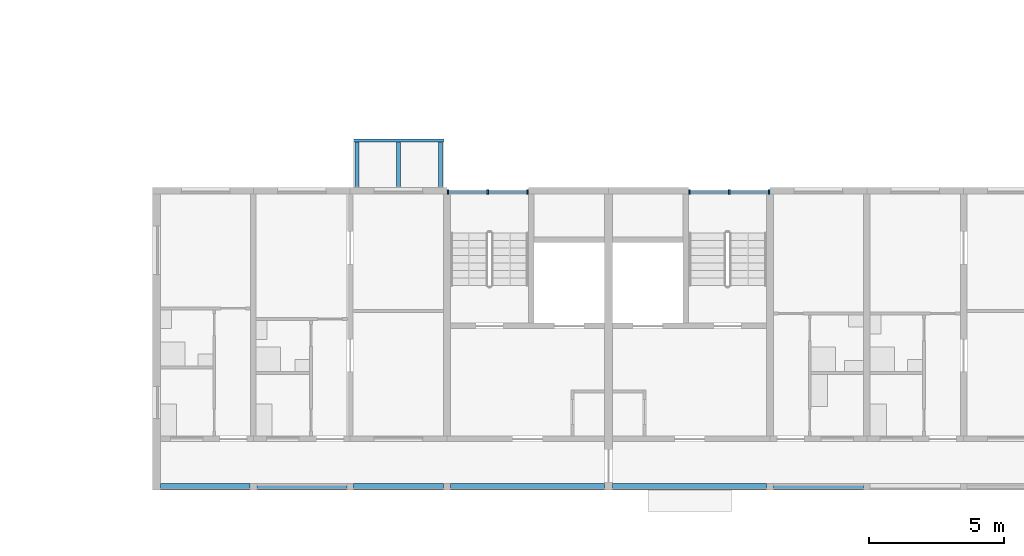
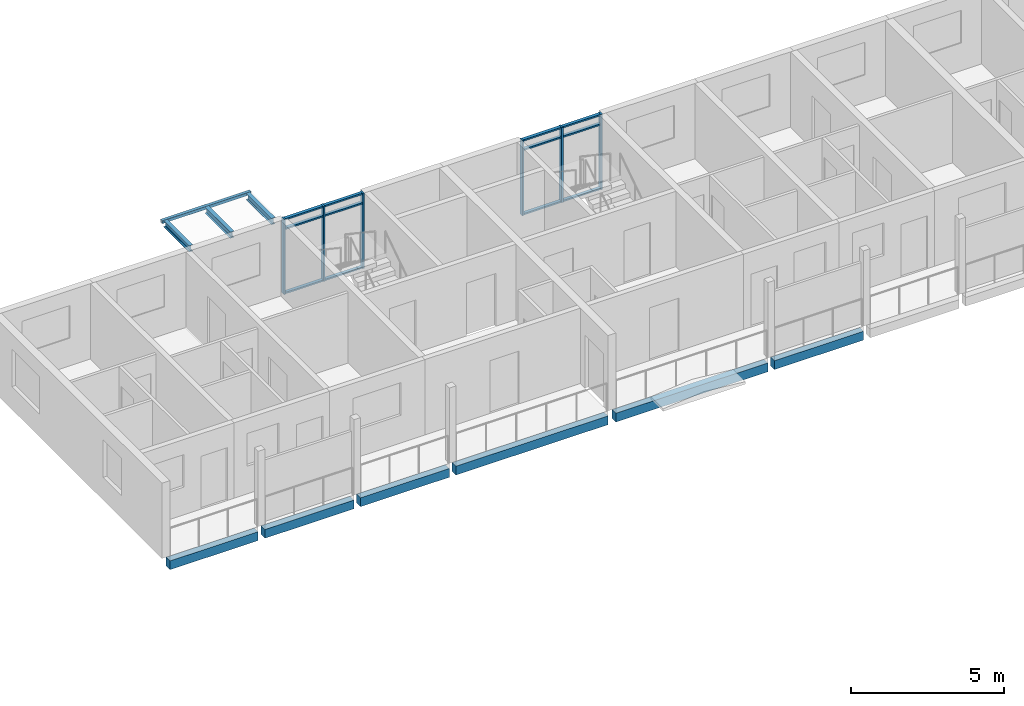
# One storey, part 14 of 100: 18 members, 10 beams, 2 elements without a shape of their own.
"""IFC4 building model written with IfcOpenShell, lengths in metres."""

from ifc_helpers import new_model, si_unit, direction, frame, origin, origin_2d, place, context, subcontext, project, spatial, rectangle, hollow_rectangle, i_section, extrude, material, material_profile, profile_set, type_object, element, aggregate, save


model = new_model("IFC4")

# Units and contexts
model_context = context("Model", 3, precision=1e-05, world=origin(), true_north=direction((0.0, 1.0)))
body_context = subcontext(model_context, "Body", "Model", "MODEL_VIEW")
ifc_project = project(units=[si_unit("LENGTHUNIT", "METRE"), si_unit("AREAUNIT", "SQUARE_METRE"), si_unit("VOLUMEUNIT", "CUBIC_METRE"), si_unit("PLANEANGLEUNIT", "RADIAN"), si_unit("MASSUNIT", "GRAM", prefix="KILO")], contexts=[model_context])

# Site, building, storey
site_placement = place(None, origin())
site = spatial("IfcSite", under=ifc_project, at=site_placement, CompositionType="ELEMENT")
building_placement = place(site_placement, origin())
building = spatial("IfcBuilding", under=site, at=building_placement, Name="Ridgestep Commons", CompositionType="ELEMENT")
storey_placement = place(building_placement, frame((0.0, 0.0, 9.0)))
storey = spatial("IfcBuildingStorey", under=building, at=storey_placement, Name="L03", CompositionType="ELEMENT", Elevation=9.0)

# Beams
ifc_material_1 = material(Name="Precast concrete C40/50", Category="concrete")
ifc_material_profile_1 = material_profile(ifc_material_1, rectangle(XDim=0.25, YDim=0.35009765625, at=origin_2d()), Name="PC 250x350")
ifc_profile_set_1 = profile_set([ifc_material_profile_1], Name="Precast concrete C40/50")
beam_type_1 = type_object("IfcBeamType", Name="Loggia edge beam 250 x 350", PredefinedType="SPANDREL", material=ifc_profile_set_1)
beam_1_placement = place(storey_placement, frame((146.949951171875, 11.875, -0.375), z_axis=(1.0, 0.0, 0.0), x_axis=(0.0, 1.0, 0.0)))
element("IfcBeam", 1, at=beam_1_placement, inside=storey, type_object=beam_type_1, Name="Loggia edge beam D1T1 L03", PredefinedType="SPANDREL", context=body_context, shape_type="SweptSolid", body=[
    extrude(rectangle(XDim=0.25, YDim=0.35009765625, at=origin_2d()), origin(), (0.0, 0.0, 1.0), 3.324951171875),
])
for number, where, z_axis, x_axis, name in (
    (2, (150.52490234375, 11.875, -0.375), (1.0, 0.0, 0.0), (0.0, 1.0, 0.0), "Loggia edge beam D1T2 L03"),
    (3, (154.125, 11.875, -0.375), (1.0, 0.0, 0.0), (0.0, 1.0, 0.0), "Loggia edge beam D1T3 L03"),
):
    element("IfcBeam", number, at=place(storey_placement, frame(where, z_axis=z_axis, x_axis=x_axis)), inside=storey, type_object=beam_type_1, Name=name, PredefinedType="SPANDREL", context=body_context, shape_type="SweptSolid", body=[
        extrude(rectangle(XDim=0.25, YDim=0.35009765625, at=origin_2d()), origin(), (0.0, 0.0, 1.0), 3.35009765625),
    ])
beam_2_placement = place(storey_placement, frame((157.72509765625, 11.875, -0.375), z_axis=(1.0, 0.0, 0.0), x_axis=(0.0, 1.0, 0.0)))
element("IfcBeam", 4, at=beam_2_placement, inside=storey, type_object=beam_type_1, Name="Loggia edge beam D1C L03", PredefinedType="SPANDREL", context=body_context, shape_type="SweptSolid", body=[
    extrude(rectangle(XDim=0.25, YDim=0.35009765625, at=origin_2d()), origin(), (0.0, 0.0, 1.0), 5.724853515625),
])
beam_3_placement = place(storey_placement, frame((163.75, 11.875, -0.375), z_axis=(1.0, 0.0, 0.0), x_axis=(0.0, 1.0, 0.0)))
element("IfcBeam", 5, at=beam_3_placement, inside=storey, type_object=beam_type_1, Name="Loggia edge beam D2C L03", PredefinedType="SPANDREL", context=body_context, shape_type="SweptSolid", body=[
    extrude(rectangle(XDim=0.25, YDim=0.35009765625, at=origin_2d()), origin(), (0.0, 0.0, 1.0), 5.72509765625),
])
beam_4_placement = place(storey_placement, frame((169.72509765625, 11.875, -0.375), z_axis=(1.0, 0.0, 0.0), x_axis=(0.0, 1.0, 0.0)))
element("IfcBeam", 6, at=beam_4_placement, inside=storey, type_object=beam_type_1, Name="Loggia edge beam D2T3 L03", PredefinedType="SPANDREL", context=body_context, shape_type="SweptSolid", body=[
    extrude(rectangle(XDim=0.25, YDim=0.35009765625, at=origin_2d()), origin(), (0.0, 0.0, 1.0), 3.349853515625),
])

# Curtain wall, members
ifc_material_2 = material(Name="Aluminium 6063-T6 and glass", Category="aluminium")
curtain_wall_type = type_object("IfcCurtainWallType", Name="Curtain wall stair strip", PredefinedType="NOTDEFINED", material=ifc_material_2)
curtain_wall_1_placement = place(storey_placement, origin())
curtain_wall_1 = element("IfcCurtainWall", 7, at=curtain_wall_1_placement, inside=storey, type_object=curtain_wall_type, Name="Curtain wall D1C level 03", PredefinedType="NOTDEFINED")
ifc_material_3 = material(Name="Aluminium 6063-T6", Category="aluminium")
ifc_material_profile_2 = material_profile(ifc_material_3, rectangle(XDim=0.159912109375, YDim=0.06005859375, at=origin_2d()), Name="Mullion 60 x 160")
ifc_profile_set_2 = profile_set([ifc_material_profile_2], Name="Aluminium 6063-T6")
member_type_1 = type_object("IfcMemberType", Name="Mullion 60 x 160", PredefinedType="MULLION", material=ifc_profile_set_2)
member_1_placement = place(storey_placement, frame((157.6298828125, 22.830078125, 0.0), z_axis=(0.0, 0.0, 1.0), x_axis=(0.0, 1.0, 0.0)))
member_1 = element("IfcMember", 8, at=member_1_placement, type_object=member_type_1, Name="CW1 mullion 1", PredefinedType="MULLION", context=body_context, shape_type="SweptSolid", body=[
    extrude(rectangle(XDim=0.159912109375, YDim=0.06005859375, at=origin_2d()), origin(), (0.0, 0.0, 1.0), 3.0),
])
member_2_placement = place(storey_placement, frame((159.112548828125, 22.830078125, 0.0), z_axis=(0.0, 0.0, 1.0), x_axis=(0.0, 1.0, 0.0)))
member_2 = element("IfcMember", 9, at=member_2_placement, type_object=member_type_1, Name="CW1 mullion 2", PredefinedType="MULLION", context=body_context, shape_type="SweptSolid", body=[
    extrude(rectangle(XDim=0.159912109375, YDim=0.06005859375, at=origin_2d()), origin(), (0.0, 0.0, 1.0), 3.0),
])
member_3_placement = place(storey_placement, frame((160.594970703125, 22.830078125, 0.0), z_axis=(0.0, 0.0, 1.0), x_axis=(0.0, 1.0, 0.0)))
member_3 = element("IfcMember", 10, at=member_3_placement, type_object=member_type_1, Name="CW1 mullion 3", PredefinedType="MULLION", context=body_context, shape_type="SweptSolid", body=[
    extrude(rectangle(XDim=0.159912109375, YDim=0.06005859375, at=origin_2d()), origin(), (0.0, 0.0, 1.0), 3.0),
])

curtain_wall_2_placement = place(storey_placement, origin())
curtain_wall_2 = element("IfcCurtainWall", 11, at=curtain_wall_2_placement, inside=storey, type_object=curtain_wall_type, Name="Curtain wall D2C level 03", PredefinedType="NOTDEFINED")
member_4_placement = place(storey_placement, frame((166.60498046875, 22.830078125, 0.0), z_axis=(0.0, 0.0, 1.0), x_axis=(0.0, 1.0, 0.0)))
member_4 = element("IfcMember", 12, at=member_4_placement, type_object=member_type_1, Name="CW1 mullion 1", PredefinedType="MULLION", context=body_context, shape_type="SweptSolid", body=[
    extrude(rectangle(XDim=0.159912109375, YDim=0.06005859375, at=origin_2d()), origin(), (0.0, 0.0, 1.0), 3.0),
])
member_5_placement = place(storey_placement, frame((168.08740234375, 22.830078125, 0.0), z_axis=(0.0, 0.0, 1.0), x_axis=(0.0, 1.0, 0.0)))
member_5 = element("IfcMember", 13, at=member_5_placement, type_object=member_type_1, Name="CW1 mullion 2", PredefinedType="MULLION", context=body_context, shape_type="SweptSolid", body=[
    extrude(rectangle(XDim=0.159912109375, YDim=0.06005859375, at=origin_2d()), origin(), (0.0, 0.0, 1.0), 3.0),
])
member_6_placement = place(storey_placement, frame((169.570068359375, 22.830078125, 0.0), z_axis=(0.0, 0.0, 1.0), x_axis=(0.0, 1.0, 0.0)))
member_6 = element("IfcMember", 14, at=member_6_placement, type_object=member_type_1, Name="CW1 mullion 3", PredefinedType="MULLION", context=body_context, shape_type="SweptSolid", body=[
    extrude(rectangle(XDim=0.159912109375, YDim=0.06005859375, at=origin_2d()), origin(), (0.0, 0.0, 1.0), 3.0),
])

# Member
ifc_material_4 = material(Name="Aluminium 6063-T6", Category="aluminium")
ifc_material_profile_3 = material_profile(ifc_material_4, rectangle(XDim=0.1201171875, YDim=0.06005859375, at=origin_2d()), Name="Transom 60 x 120")
ifc_profile_set_3 = profile_set([ifc_material_profile_3], Name="Aluminium 6063-T6")
member_type_2 = type_object("IfcMemberType", Name="Transom 60 x 120", PredefinedType="USERDEFINED", material=ifc_profile_set_3)
member_7_placement = place(storey_placement, frame((157.659912109375, 22.830078125, 0.030029296875), z_axis=(1.0, 0.0, 0.0), x_axis=(0.0, 1.0, 0.0)))
member_7 = element("IfcMember", 15, at=member_7_placement, type_object=member_type_2, Name="CW1 transom 1.1", ObjectType="TRANSOM", PredefinedType="USERDEFINED", context=body_context, shape_type="SweptSolid", body=[
    extrude(rectangle(XDim=0.1201171875, YDim=0.06005859375, at=origin_2d()), origin(), (0.0, 0.0, 1.0), 1.422607421875),
])

member_8_placement = place(storey_placement, frame((157.659912109375, 22.830078125, 2.590087890625), z_axis=(1.0, 0.0, 0.0), x_axis=(0.0, 1.0, 0.0)))
member_8 = element("IfcMember", 16, at=member_8_placement, type_object=member_type_2, Name="CW1 transom 1.2", ObjectType="TRANSOM", PredefinedType="USERDEFINED", context=body_context, shape_type="SweptSolid", body=[
    extrude(rectangle(XDim=0.1201171875, YDim=0.06005859375, at=origin_2d()), origin(), (0.0, 0.0, 1.0), 1.422607421875),
])

member_9_placement = place(storey_placement, frame((157.659912109375, 22.830078125, 2.969970703125), z_axis=(1.0, 0.0, 0.0), x_axis=(0.0, 1.0, 0.0)))
member_9 = element("IfcMember", 17, at=member_9_placement, type_object=member_type_2, Name="CW1 transom 1.3", ObjectType="TRANSOM", PredefinedType="USERDEFINED", context=body_context, shape_type="SweptSolid", body=[
    extrude(rectangle(XDim=0.1201171875, YDim=0.06005859375, at=origin_2d()), origin(), (0.0, 0.0, 1.0), 1.422607421875),
])

member_10_placement = place(storey_placement, frame((159.142578125, 22.830078125, 0.030029296875), z_axis=(1.0, 0.0, 0.0), x_axis=(0.0, 1.0, 0.0)))
member_10 = element("IfcMember", 18, at=member_10_placement, type_object=member_type_2, Name="CW1 transom 2.1", ObjectType="TRANSOM", PredefinedType="USERDEFINED", context=body_context, shape_type="SweptSolid", body=[
    extrude(rectangle(XDim=0.1201171875, YDim=0.06005859375, at=origin_2d()), origin(), (0.0, 0.0, 1.0), 1.42236328125),
])

member_11_placement = place(storey_placement, frame((159.142578125, 22.830078125, 2.590087890625), z_axis=(1.0, 0.0, 0.0), x_axis=(0.0, 1.0, 0.0)))
member_11 = element("IfcMember", 19, at=member_11_placement, type_object=member_type_2, Name="CW1 transom 2.2", ObjectType="TRANSOM", PredefinedType="USERDEFINED", context=body_context, shape_type="SweptSolid", body=[
    extrude(rectangle(XDim=0.1201171875, YDim=0.06005859375, at=origin_2d()), origin(), (0.0, 0.0, 1.0), 1.42236328125),
])

member_12_placement = place(storey_placement, frame((159.142578125, 22.830078125, 2.969970703125), z_axis=(1.0, 0.0, 0.0), x_axis=(0.0, 1.0, 0.0)))
member_12 = element("IfcMember", 20, at=member_12_placement, type_object=member_type_2, Name="CW1 transom 2.3", ObjectType="TRANSOM", PredefinedType="USERDEFINED", context=body_context, shape_type="SweptSolid", body=[
    extrude(rectangle(XDim=0.1201171875, YDim=0.06005859375, at=origin_2d()), origin(), (0.0, 0.0, 1.0), 1.42236328125),
])

aggregate(curtain_wall_1, [member_1, member_2, member_3, member_7, member_8, member_9, member_10, member_11, member_12])

member_13_placement = place(storey_placement, frame((166.635009765625, 22.830078125, 0.030029296875), z_axis=(1.0, 0.0, 0.0), x_axis=(0.0, 1.0, 0.0)))
member_13 = element("IfcMember", 21, at=member_13_placement, type_object=member_type_2, Name="CW1 transom 1.1", ObjectType="TRANSOM", PredefinedType="USERDEFINED", context=body_context, shape_type="SweptSolid", body=[
    extrude(rectangle(XDim=0.1201171875, YDim=0.06005859375, at=origin_2d()), origin(), (0.0, 0.0, 1.0), 1.422607421875),
])

member_14_placement = place(storey_placement, frame((166.635009765625, 22.830078125, 2.590087890625), z_axis=(1.0, 0.0, 0.0), x_axis=(0.0, 1.0, 0.0)))
member_14 = element("IfcMember", 22, at=member_14_placement, type_object=member_type_2, Name="CW1 transom 1.2", ObjectType="TRANSOM", PredefinedType="USERDEFINED", context=body_context, shape_type="SweptSolid", body=[
    extrude(rectangle(XDim=0.1201171875, YDim=0.06005859375, at=origin_2d()), origin(), (0.0, 0.0, 1.0), 1.422607421875),
])

member_15_placement = place(storey_placement, frame((166.635009765625, 22.830078125, 2.969970703125), z_axis=(1.0, 0.0, 0.0), x_axis=(0.0, 1.0, 0.0)))
member_15 = element("IfcMember", 23, at=member_15_placement, type_object=member_type_2, Name="CW1 transom 1.3", ObjectType="TRANSOM", PredefinedType="USERDEFINED", context=body_context, shape_type="SweptSolid", body=[
    extrude(rectangle(XDim=0.1201171875, YDim=0.06005859375, at=origin_2d()), origin(), (0.0, 0.0, 1.0), 1.422607421875),
])

member_16_placement = place(storey_placement, frame((168.117431640625, 22.830078125, 0.030029296875), z_axis=(1.0, 0.0, 0.0), x_axis=(0.0, 1.0, 0.0)))
member_16 = element("IfcMember", 24, at=member_16_placement, type_object=member_type_2, Name="CW1 transom 2.1", ObjectType="TRANSOM", PredefinedType="USERDEFINED", context=body_context, shape_type="SweptSolid", body=[
    extrude(rectangle(XDim=0.1201171875, YDim=0.06005859375, at=origin_2d()), origin(), (0.0, 0.0, 1.0), 1.422607421875),
])

member_17_placement = place(storey_placement, frame((168.117431640625, 22.830078125, 2.590087890625), z_axis=(1.0, 0.0, 0.0), x_axis=(0.0, 1.0, 0.0)))
member_17 = element("IfcMember", 25, at=member_17_placement, type_object=member_type_2, Name="CW1 transom 2.2", ObjectType="TRANSOM", PredefinedType="USERDEFINED", context=body_context, shape_type="SweptSolid", body=[
    extrude(rectangle(XDim=0.1201171875, YDim=0.06005859375, at=origin_2d()), origin(), (0.0, 0.0, 1.0), 1.422607421875),
])

member_18_placement = place(storey_placement, frame((168.117431640625, 22.830078125, 2.969970703125), z_axis=(1.0, 0.0, 0.0), x_axis=(0.0, 1.0, 0.0)))
member_18 = element("IfcMember", 26, at=member_18_placement, type_object=member_type_2, Name="CW1 transom 2.3", ObjectType="TRANSOM", PredefinedType="USERDEFINED", context=body_context, shape_type="SweptSolid", body=[
    extrude(rectangle(XDim=0.1201171875, YDim=0.06005859375, at=origin_2d()), origin(), (0.0, 0.0, 1.0), 1.422607421875),
])

aggregate(curtain_wall_2, [member_4, member_5, member_6, member_13, member_14, member_15, member_16, member_17, member_18])

# Beams
ifc_material_5 = material(Name="Weathering steel S355J2W", Category="steel")
ifc_material_profile_4 = material_profile(ifc_material_5, i_section(OverallWidth=0.14599609375, OverallDepth=0.25146484375, WebThickness=0.006103515625, FlangeThickness=0.008544921875, FilletRadius=0.007568359375, at=origin_2d()), Name="UB 254x146x31")
ifc_profile_set_4 = profile_set([ifc_material_profile_4], Name="Weathering steel S355J2W")
beam_type_2 = type_object("IfcBeamType", Name="Tray arm UB 254x146x31", PredefinedType="BEAM", material=ifc_profile_set_4)
for number, where, z_axis, x_axis, name in (
    (27, (154.25, 23.014892578125, 2.8642578125), (0.0, 1.0, 0.0), (-1.0, 0.0, 0.0), "Tray arm D1T3-04.1"),
    (28, (155.800048828125, 23.014892578125, 2.8642578125), (0.0, 1.0, 0.0), (-1.0, 0.0, 0.0), "Tray arm D1T3-04.2"),
    (29, (157.35009765625, 23.014892578125, 2.8642578125), (0.0, 1.0, 0.0), (-1.0, 0.0, 0.0), "Tray arm D1T3-04.3"),
):
    element("IfcBeam", number, at=place(storey_placement, frame(where, z_axis=z_axis, x_axis=x_axis)), inside=storey, type_object=beam_type_2, Name=name, PredefinedType="BEAM", context=body_context, shape_type="SweptSolid", body=[
        extrude(i_section(OverallWidth=0.14599609375, OverallDepth=0.25146484375, WebThickness=0.006103515625, FlangeThickness=0.008544921875, FilletRadius=0.007568359375, at=origin_2d()), origin(), (0.0, 0.0, 1.0), 1.6650390625),
    ])
ifc_material_6 = material(Name="Weathering steel S355J2W", Category="steel")
ifc_material_profile_5 = material_profile(ifc_material_6, hollow_rectangle(XDim=0.1201171875, YDim=0.1201171875, WallThickness=0.00634765625, InnerFilletRadius=0.00634765625, OuterFilletRadius=0.009521484375, at=origin_2d()), Name="SHS 120x120x6.3")
ifc_profile_set_5 = profile_set([ifc_material_profile_5], Name="Weathering steel S355J2W")
beam_type_3 = type_object("IfcBeamType", Name="Tray edge member SHS 120x120x6.3", PredefinedType="BEAM", material=ifc_profile_set_5)
beam_5_placement = place(storey_placement, frame((154.1298828125, 24.739990234375, 2.929931640625), z_axis=(1.0, 0.0, 0.0), x_axis=(0.0, 0.0, 1.0)))
element("IfcBeam", 30, at=beam_5_placement, inside=storey, type_object=beam_type_3, Name="Tray edge member D1T3-04", PredefinedType="BEAM", context=body_context, shape_type="SweptSolid", body=[
    extrude(hollow_rectangle(XDim=0.1201171875, YDim=0.1201171875, WallThickness=0.00634765625, InnerFilletRadius=0.00634765625, OuterFilletRadius=0.009521484375, at=origin_2d()), origin(), (0.0, 0.0, 1.0), 3.340087890625),
])

save(model, "model.ifc")
